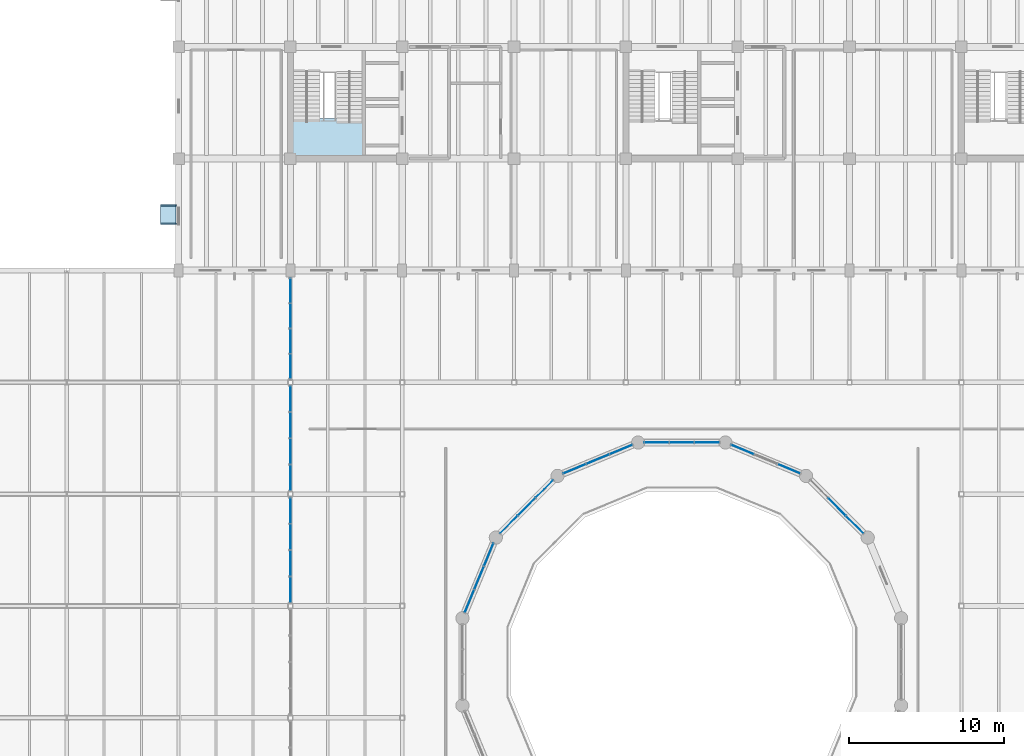
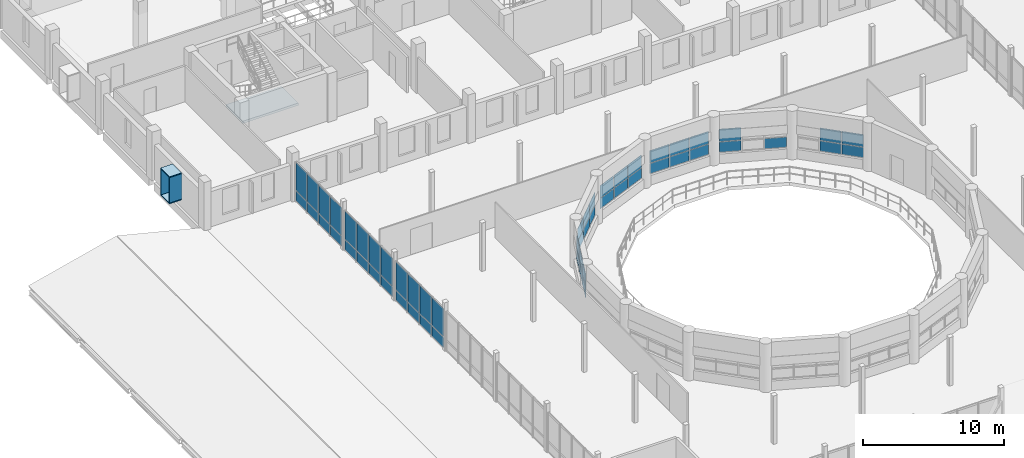
# One storey, part 42 of 63: 59 plates, 1 slab, 10 elements without a shape of their own.
"""IFC4 building model written with IfcOpenShell, lengths in metres."""

from ifc_helpers import new_model, si_unit, direction, frame, frame_2d, origin, origin_2d, place, context, subcontext, project, spatial, polyline, rectangle, outline, extrude, material, layer, layer_set, type_object, element, aggregate, save


model = new_model("IFC4")

# Units and contexts
model_context = context("Model", 3, precision=1e-05, world=origin(), true_north=direction((0.0, 1.0)))
body_context = subcontext(model_context, "Body", "Model", "MODEL_VIEW")
ifc_project = project(units=[si_unit("LENGTHUNIT", "METRE"), si_unit("AREAUNIT", "SQUARE_METRE"), si_unit("VOLUMEUNIT", "CUBIC_METRE"), si_unit("PLANEANGLEUNIT", "RADIAN"), si_unit("MASSUNIT", "GRAM", prefix="KILO")], contexts=[model_context])

# Site, building, storey
site_placement = place(None, origin())
site = spatial("IfcSite", under=ifc_project, at=site_placement, CompositionType="ELEMENT")
building_placement = place(site_placement, origin())
building = spatial("IfcBuilding", under=site, at=building_placement, Name="Qiaolan Assembly House", CompositionType="ELEMENT")
storey_placement = place(building_placement, frame((0.0, 0.0, 14.39990234375)))
storey = spatial("IfcBuildingStorey", under=building, at=storey_placement, Name="L03", CompositionType="ELEMENT", Elevation=14.39990234375)

# Curtain wall, plates
ifc_material_1 = material(Name="Anodised bronze aluminium", Category="aluminium")
curtain_wall_type_1 = type_object("IfcCurtainWallType", Name="CW-DRUM-CLERESTORY", PredefinedType="NOTDEFINED", material=ifc_material_1)
curtain_wall_1_placement = place(storey_placement, origin())
curtain_wall_1 = element("IfcCurtainWall", 1, at=curtain_wall_1_placement, inside=storey, type_object=curtain_wall_type_1, Name="CW-06 Council Chamber Drum Clerestory Curtain Wall 2", PredefinedType="NOTDEFINED")
ifc_material_2 = material(Name="Low-E double insulating glass", Category="glass")
ifc_layer_1 = layer(ifc_material_2, 0.02392578125)
ifc_layer_set_1 = layer_set([ifc_layer_1], Name="Low-E double insulating glass")
plate_type_1 = type_object("IfcPlateType", Name="CW-DRUM-CLERESTORY-PNL", PredefinedType="CURTAIN_PANEL", material=ifc_layer_set_1)
plate_1_placement = place(storey_placement, frame((77.831787109375, 71.74169921875, 0.85107421875), z_axis=(0.0, 0.0, 1.0), x_axis=(0.707106781187, -0.707106781187, 0.0)))
plate_1 = element("IfcPlate", 2, at=plate_1_placement, type_object=plate_type_1, Name="GL-07 glazing panel CW-DRUM-CLER-01-3", PredefinedType="CURTAIN_PANEL", context=body_context, shape_type="SweptSolid", body=[
    extrude(rectangle(XDim=1.569580078125, YDim=0.02392578125, at=frame_2d((0.78466796875, 0.0))), origin(), (0.0, 0.0, 1.0), 0.8779296875),
])
plate_2_placement = place(storey_placement, frame((77.831787109375, 71.74169921875, 1.77099609375), z_axis=(0.0, 0.0, 1.0), x_axis=(0.707106781187, -0.707106781187, 0.0)))
plate_2 = element("IfcPlate", 3, at=plate_2_placement, type_object=plate_type_1, Name="GL-07 glazing panel CW-DRUM-CLER-01-4", PredefinedType="CURTAIN_PANEL", context=body_context, shape_type="SweptSolid", body=[
    extrude(rectangle(XDim=1.569580078125, YDim=0.02392578125, at=frame_2d((0.78466796875, 0.0))), origin(), (0.0, 0.0, 1.0), 1.078125),
])
plate_3_placement = place(storey_placement, frame((78.97705078125, 70.596435546875, 0.85107421875), z_axis=(0.0, 0.0, 1.0), x_axis=(0.707028995941, -0.707184557876, 0.0)))
plate_3 = element("IfcPlate", 4, at=plate_3_placement, type_object=plate_type_1, Name="GL-07 glazing panel CW-DRUM-CLER-01-5", PredefinedType="CURTAIN_PANEL", context=body_context, shape_type="SweptSolid", body=[
    extrude(rectangle(XDim=1.5693359375, YDim=0.02392578125, at=frame_2d((0.78466796875, 0.0))), origin(), (0.0, 0.0, 1.0), 0.8779296875),
])
plate_4_placement = place(storey_placement, frame((78.97705078125, 70.596435546875, 1.77099609375), z_axis=(0.0, 0.0, 1.0), x_axis=(0.707028995941, -0.707184557876, 0.0)))
plate_4 = element("IfcPlate", 5, at=plate_4_placement, type_object=plate_type_1, Name="GL-07 glazing panel CW-DRUM-CLER-01-6", PredefinedType="CURTAIN_PANEL", context=body_context, shape_type="SweptSolid", body=[
    extrude(rectangle(XDim=1.5693359375, YDim=0.02392578125, at=frame_2d((0.78466796875, 0.0))), origin(), (0.0, 0.0, 1.0), 1.078125),
])
aggregate(curtain_wall_1, [plate_1, plate_2, plate_3, plate_4])

curtain_wall_2_placement = place(storey_placement, origin())
curtain_wall_2 = element("IfcCurtainWall", 6, at=curtain_wall_2_placement, inside=storey, type_object=curtain_wall_type_1, Name="CW-06 Council Chamber Drum Clerestory Curtain Wall 3", PredefinedType="NOTDEFINED")
plate_5_placement = place(storey_placement, frame((71.58349609375, 75.168212890625, 0.85107421875), z_axis=(0.0, 0.0, 1.0), x_axis=(0.923880321581, -0.382681527377, 0.0)))
plate_5 = element("IfcPlate", 7, at=plate_5_placement, type_object=plate_type_1, Name="GL-07 glazing panel CW-DRUM-CLER-02-1", PredefinedType="CURTAIN_PANEL", context=body_context, shape_type="SweptSolid", body=[
    extrude(rectangle(XDim=1.5693359375, YDim=0.02392578125, at=frame_2d((0.78466796875, 0.0))), origin(), (0.0, 0.0, 1.0), 0.8779296875),
])
plate_6_placement = place(storey_placement, frame((71.58349609375, 75.168212890625, 1.77099609375), z_axis=(0.0, 0.0, 1.0), x_axis=(0.923880321581, -0.382681527377, 0.0)))
plate_6 = element("IfcPlate", 8, at=plate_6_placement, type_object=plate_type_1, Name="GL-07 glazing panel CW-DRUM-CLER-02-2", PredefinedType="CURTAIN_PANEL", context=body_context, shape_type="SweptSolid", body=[
    extrude(rectangle(XDim=1.5693359375, YDim=0.02392578125, at=frame_2d((0.78466796875, 0.0))), origin(), (0.0, 0.0, 1.0), 1.078125),
])
plate_7_placement = place(storey_placement, frame((74.575927734375, 73.9287109375, 0.85107421875), z_axis=(0.0, 0.0, 1.0), x_axis=(0.923903097912, -0.382626535499, 0.0)))
plate_7 = element("IfcPlate", 9, at=plate_7_placement, type_object=plate_type_1, Name="GL-07 glazing panel CW-DRUM-CLER-02-5", PredefinedType="CURTAIN_PANEL", context=body_context, shape_type="SweptSolid", body=[
    extrude(rectangle(XDim=1.569580078125, YDim=0.02392578125, at=frame_2d((0.78466796875, 0.0))), origin(), (0.0, 0.0, 1.0), 0.8779296875),
])
aggregate(curtain_wall_2, [plate_5, plate_6, plate_7])

curtain_wall_3_placement = place(storey_placement, origin())
curtain_wall_3 = element("IfcCurtainWall", 10, at=curtain_wall_3_placement, inside=storey, type_object=curtain_wall_type_1, Name="CW-06 Council Chamber Drum Clerestory Curtain Wall 4", PredefinedType="NOTDEFINED")
plate_8_placement = place(storey_placement, frame((65.99560546875, 75.3232421875, 0.85107421875), z_axis=(0.0, 0.0, 1.0), x_axis=(1.0, 0.0, 0.0)))
plate_8 = element("IfcPlate", 11, at=plate_8_placement, type_object=plate_type_1, Name="GL-07 glazing panel CW-DRUM-CLER-03-1", PredefinedType="CURTAIN_PANEL", context=body_context, shape_type="SweptSolid", body=[
    extrude(rectangle(XDim=1.569580078125, YDim=0.02392578125, at=frame_2d((0.78466796875, 0.0))), origin(), (0.0, 0.0, 1.0), 0.8779296875),
])
plate_9_placement = place(storey_placement, frame((65.99560546875, 75.3232421875, 1.77099609375), z_axis=(0.0, 0.0, 1.0), x_axis=(1.0, 0.0, 0.0)))
plate_9 = element("IfcPlate", 12, at=plate_9_placement, type_object=plate_type_1, Name="GL-07 glazing panel CW-DRUM-CLER-03-2", PredefinedType="CURTAIN_PANEL", context=body_context, shape_type="SweptSolid", body=[
    extrude(rectangle(XDim=1.569580078125, YDim=0.02392578125, at=frame_2d((0.78466796875, 0.0))), origin(), (0.0, 0.0, 1.0), 1.078125),
])
plate_10_placement = place(storey_placement, frame((67.615234375, 75.3232421875, 0.85107421875), z_axis=(0.0, 0.0, 1.0), x_axis=(1.0, 0.0, 0.0)))
plate_10 = element("IfcPlate", 13, at=plate_10_placement, type_object=plate_type_1, Name="GL-07 glazing panel CW-DRUM-CLER-03-3", PredefinedType="CURTAIN_PANEL", context=body_context, shape_type="SweptSolid", body=[
    extrude(rectangle(XDim=1.569580078125, YDim=0.02392578125, at=frame_2d((0.78466796875, 0.0))), origin(), (0.0, 0.0, 1.0), 0.8779296875),
])
plate_11_placement = place(storey_placement, frame((67.615234375, 75.3232421875, 1.77099609375), z_axis=(0.0, 0.0, 1.0), x_axis=(1.0, 0.0, 0.0)))
plate_11 = element("IfcPlate", 14, at=plate_11_placement, type_object=plate_type_1, Name="GL-07 glazing panel CW-DRUM-CLER-03-4", PredefinedType="CURTAIN_PANEL", context=body_context, shape_type="SweptSolid", body=[
    extrude(rectangle(XDim=1.569580078125, YDim=0.02392578125, at=frame_2d((0.78466796875, 0.0))), origin(), (0.0, 0.0, 1.0), 1.078125),
])
plate_12_placement = place(storey_placement, frame((69.23486328125, 75.3232421875, 0.85107421875), z_axis=(0.0, 0.0, 1.0), x_axis=(1.0, 0.0, 0.0)))
plate_12 = element("IfcPlate", 15, at=plate_12_placement, type_object=plate_type_1, Name="GL-07 glazing panel CW-DRUM-CLER-03-5", PredefinedType="CURTAIN_PANEL", context=body_context, shape_type="SweptSolid", body=[
    extrude(rectangle(XDim=1.5693359375, YDim=0.02392578125, at=frame_2d((0.78466796875, 0.0))), origin(), (0.0, 0.0, 1.0), 0.8779296875),
])
plate_13_placement = place(storey_placement, frame((69.23486328125, 75.3232421875, 1.77099609375), z_axis=(0.0, 0.0, 1.0), x_axis=(1.0, 0.0, 0.0)))
plate_13 = element("IfcPlate", 16, at=plate_13_placement, type_object=plate_type_1, Name="GL-07 glazing panel CW-DRUM-CLER-03-6", PredefinedType="CURTAIN_PANEL", context=body_context, shape_type="SweptSolid", body=[
    extrude(rectangle(XDim=1.5693359375, YDim=0.02392578125, at=frame_2d((0.78466796875, 0.0))), origin(), (0.0, 0.0, 1.0), 1.078125),
])
aggregate(curtain_wall_3, [plate_8, plate_9, plate_10, plate_11, plate_12, plate_13])

curtain_wall_4_placement = place(storey_placement, origin())
curtain_wall_4 = element("IfcCurtainWall", 17, at=curtain_wall_4_placement, inside=storey, type_object=curtain_wall_type_1, Name="CW-06 Council Chamber Drum Clerestory Curtain Wall 5", PredefinedType="NOTDEFINED")
plate_14_placement = place(storey_placement, frame((60.77392578125, 73.328125, 0.85107421875), z_axis=(0.0, 0.0, 1.0), x_axis=(0.923880321581, 0.382681527377, 0.0)))
plate_14 = element("IfcPlate", 18, at=plate_14_placement, type_object=plate_type_1, Name="GL-07 glazing panel CW-DRUM-CLER-04-1", PredefinedType="CURTAIN_PANEL", context=body_context, shape_type="SweptSolid", body=[
    extrude(rectangle(XDim=1.5693359375, YDim=0.02392578125, at=frame_2d((0.78466796875, 0.0))), origin(), (0.0, 0.0, 1.0), 0.8779296875),
])
plate_15_placement = place(storey_placement, frame((60.77392578125, 73.328125, 1.77099609375), z_axis=(0.0, 0.0, 1.0), x_axis=(0.923880321581, 0.382681527377, 0.0)))
plate_15 = element("IfcPlate", 19, at=plate_15_placement, type_object=plate_type_1, Name="GL-07 glazing panel CW-DRUM-CLER-04-2", PredefinedType="CURTAIN_PANEL", context=body_context, shape_type="SweptSolid", body=[
    extrude(rectangle(XDim=1.5693359375, YDim=0.02392578125, at=frame_2d((0.78466796875, 0.0))), origin(), (0.0, 0.0, 1.0), 1.078125),
])
plate_16_placement = place(storey_placement, frame((62.270263671875, 73.947998046875, 0.85107421875), z_axis=(0.0, 0.0, 1.0), x_axis=(0.923880321581, 0.382681527377, 0.0)))
plate_16 = element("IfcPlate", 20, at=plate_16_placement, type_object=plate_type_1, Name="GL-07 glazing panel CW-DRUM-CLER-04-3", PredefinedType="CURTAIN_PANEL", context=body_context, shape_type="SweptSolid", body=[
    extrude(rectangle(XDim=1.5693359375, YDim=0.02392578125, at=frame_2d((0.78466796875, 0.0))), origin(), (0.0, 0.0, 1.0), 0.8779296875),
])
plate_17_placement = place(storey_placement, frame((62.270263671875, 73.947998046875, 1.77099609375), z_axis=(0.0, 0.0, 1.0), x_axis=(0.923880321581, 0.382681527377, 0.0)))
plate_17 = element("IfcPlate", 21, at=plate_17_placement, type_object=plate_type_1, Name="GL-07 glazing panel CW-DRUM-CLER-04-4", PredefinedType="CURTAIN_PANEL", context=body_context, shape_type="SweptSolid", body=[
    extrude(rectangle(XDim=1.5693359375, YDim=0.02392578125, at=frame_2d((0.78466796875, 0.0))), origin(), (0.0, 0.0, 1.0), 1.078125),
])
plate_18_placement = place(storey_placement, frame((63.7666015625, 74.567626953125, 0.85107421875), z_axis=(0.0, 0.0, 1.0), x_axis=(0.923880321581, 0.382681527377, 0.0)))
plate_18 = element("IfcPlate", 22, at=plate_18_placement, type_object=plate_type_1, Name="GL-07 glazing panel CW-DRUM-CLER-04-5", PredefinedType="CURTAIN_PANEL", context=body_context, shape_type="SweptSolid", body=[
    extrude(rectangle(XDim=1.5693359375, YDim=0.02392578125, at=frame_2d((0.78466796875, 0.0))), origin(), (0.0, 0.0, 1.0), 0.8779296875),
])
plate_19_placement = place(storey_placement, frame((63.7666015625, 74.567626953125, 1.77099609375), z_axis=(0.0, 0.0, 1.0), x_axis=(0.923880321581, 0.382681527377, 0.0)))
plate_19 = element("IfcPlate", 23, at=plate_19_placement, type_object=plate_type_1, Name="GL-07 glazing panel CW-DRUM-CLER-04-6", PredefinedType="CURTAIN_PANEL", context=body_context, shape_type="SweptSolid", body=[
    extrude(rectangle(XDim=1.5693359375, YDim=0.02392578125, at=frame_2d((0.78466796875, 0.0))), origin(), (0.0, 0.0, 1.0), 1.078125),
])
aggregate(curtain_wall_4, [plate_14, plate_15, plate_16, plate_17, plate_18, plate_19])

curtain_wall_5_placement = place(storey_placement, origin())
curtain_wall_5 = element("IfcCurtainWall", 24, at=curtain_wall_5_placement, inside=storey, type_object=curtain_wall_type_1, Name="CW-06 Council Chamber Drum Clerestory Curtain Wall 6", PredefinedType="NOTDEFINED")
plate_20_placement = place(storey_placement, frame((56.713134765625, 69.486572265625, 0.85107421875), z_axis=(0.0, 0.0, 1.0), x_axis=(0.707106781187, 0.707106781187, 0.0)))
plate_20 = element("IfcPlate", 25, at=plate_20_placement, type_object=plate_type_1, Name="GL-07 glazing panel CW-DRUM-CLER-05-1", PredefinedType="CURTAIN_PANEL", context=body_context, shape_type="SweptSolid", body=[
    extrude(rectangle(XDim=1.569580078125, YDim=0.02392578125, at=frame_2d((0.78466796875, 0.0))), origin(), (0.0, 0.0, 1.0), 0.8779296875),
])
plate_21_placement = place(storey_placement, frame((56.713134765625, 69.486572265625, 1.77099609375), z_axis=(0.0, 0.0, 1.0), x_axis=(0.707106781187, 0.707106781187, 0.0)))
plate_21 = element("IfcPlate", 26, at=plate_21_placement, type_object=plate_type_1, Name="GL-07 glazing panel CW-DRUM-CLER-05-2", PredefinedType="CURTAIN_PANEL", context=body_context, shape_type="SweptSolid", body=[
    extrude(rectangle(XDim=1.569580078125, YDim=0.02392578125, at=frame_2d((0.78466796875, 0.0))), origin(), (0.0, 0.0, 1.0), 1.078125),
])
plate_22_placement = place(storey_placement, frame((57.8583984375, 70.6318359375, 0.85107421875), z_axis=(0.0, 0.0, 1.0), x_axis=(0.707106781187, 0.707106781187, 0.0)))
plate_22 = element("IfcPlate", 27, at=plate_22_placement, type_object=plate_type_1, Name="GL-07 glazing panel CW-DRUM-CLER-05-3", PredefinedType="CURTAIN_PANEL", context=body_context, shape_type="SweptSolid", body=[
    extrude(rectangle(XDim=1.569580078125, YDim=0.02392578125, at=frame_2d((0.78466796875, 0.0))), origin(), (0.0, 0.0, 1.0), 0.8779296875),
])
plate_23_placement = place(storey_placement, frame((57.8583984375, 70.6318359375, 1.77099609375), z_axis=(0.0, 0.0, 1.0), x_axis=(0.707106781187, 0.707106781187, 0.0)))
plate_23 = element("IfcPlate", 28, at=plate_23_placement, type_object=plate_type_1, Name="GL-07 glazing panel CW-DRUM-CLER-05-4", PredefinedType="CURTAIN_PANEL", context=body_context, shape_type="SweptSolid", body=[
    extrude(rectangle(XDim=1.569580078125, YDim=0.02392578125, at=frame_2d((0.78466796875, 0.0))), origin(), (0.0, 0.0, 1.0), 1.078125),
])
plate_24_placement = place(storey_placement, frame((59.003662109375, 71.777099609375, 0.85107421875), z_axis=(0.0, 0.0, 1.0), x_axis=(0.707184557876, 0.707028995941, 0.0)))
plate_24 = element("IfcPlate", 29, at=plate_24_placement, type_object=plate_type_1, Name="GL-07 glazing panel CW-DRUM-CLER-05-5", PredefinedType="CURTAIN_PANEL", context=body_context, shape_type="SweptSolid", body=[
    extrude(rectangle(XDim=1.5693359375, YDim=0.02392578125, at=frame_2d((0.78466796875, 0.0))), origin(), (0.0, 0.0, 1.0), 0.8779296875),
])
plate_25_placement = place(storey_placement, frame((59.003662109375, 71.777099609375, 1.77099609375), z_axis=(0.0, 0.0, 1.0), x_axis=(0.707184557876, 0.707028995941, 0.0)))
plate_25 = element("IfcPlate", 30, at=plate_25_placement, type_object=plate_type_1, Name="GL-07 glazing panel CW-DRUM-CLER-05-6", PredefinedType="CURTAIN_PANEL", context=body_context, shape_type="SweptSolid", body=[
    extrude(rectangle(XDim=1.5693359375, YDim=0.02392578125, at=frame_2d((0.78466796875, 0.0))), origin(), (0.0, 0.0, 1.0), 1.078125),
])
aggregate(curtain_wall_5, [plate_20, plate_21, plate_22, plate_23, plate_24, plate_25])

curtain_wall_6_placement = place(storey_placement, origin())
curtain_wall_6 = element("IfcCurtainWall", 31, at=curtain_wall_6_placement, inside=storey, type_object=curtain_wall_type_1, Name="CW-06 Council Chamber Drum Clerestory Curtain Wall 7", PredefinedType="NOTDEFINED")
plate_26_placement = place(storey_placement, frame((54.431640625, 64.383544921875, 0.85107421875), z_axis=(0.0, 0.0, 1.0), x_axis=(0.382681527377, 0.923880321581, 0.0)))
plate_26 = element("IfcPlate", 32, at=plate_26_placement, type_object=plate_type_1, Name="GL-07 glazing panel CW-DRUM-CLER-06-1", PredefinedType="CURTAIN_PANEL", context=body_context, shape_type="SweptSolid", body=[
    extrude(rectangle(XDim=1.5693359375, YDim=0.02392578125, at=frame_2d((0.78466796875, 0.0))), origin(), (0.0, 0.0, 1.0), 0.8779296875),
])
plate_27_placement = place(storey_placement, frame((54.431640625, 64.383544921875, 1.77099609375), z_axis=(0.0, 0.0, 1.0), x_axis=(0.382681527377, 0.923880321581, 0.0)))
plate_27 = element("IfcPlate", 33, at=plate_27_placement, type_object=plate_type_1, Name="GL-07 glazing panel CW-DRUM-CLER-06-2", PredefinedType="CURTAIN_PANEL", context=body_context, shape_type="SweptSolid", body=[
    extrude(rectangle(XDim=1.5693359375, YDim=0.02392578125, at=frame_2d((0.78466796875, 0.0))), origin(), (0.0, 0.0, 1.0), 1.078125),
])
plate_28_placement = place(storey_placement, frame((55.051513671875, 65.879638671875, 0.85107421875), z_axis=(0.0, 0.0, 1.0), x_axis=(0.382626535499, 0.923903097912, 0.0)))
plate_28 = element("IfcPlate", 34, at=plate_28_placement, type_object=plate_type_1, Name="GL-07 glazing panel CW-DRUM-CLER-06-3", PredefinedType="CURTAIN_PANEL", context=body_context, shape_type="SweptSolid", body=[
    extrude(rectangle(XDim=1.569580078125, YDim=0.02392578125, at=frame_2d((0.78466796875, 0.0))), origin(), (0.0, 0.0, 1.0), 0.8779296875),
])
plate_29_placement = place(storey_placement, frame((55.051513671875, 65.879638671875, 1.77099609375), z_axis=(0.0, 0.0, 1.0), x_axis=(0.382626535499, 0.923903097912, 0.0)))
plate_29 = element("IfcPlate", 35, at=plate_29_placement, type_object=plate_type_1, Name="GL-07 glazing panel CW-DRUM-CLER-06-4", PredefinedType="CURTAIN_PANEL", context=body_context, shape_type="SweptSolid", body=[
    extrude(rectangle(XDim=1.569580078125, YDim=0.02392578125, at=frame_2d((0.78466796875, 0.0))), origin(), (0.0, 0.0, 1.0), 1.078125),
])
plate_30_placement = place(storey_placement, frame((55.671142578125, 67.3759765625, 0.85107421875), z_axis=(0.0, 0.0, 1.0), x_axis=(0.382814295874, 0.923825316212, 0.0)))
plate_30 = element("IfcPlate", 36, at=plate_30_placement, type_object=plate_type_1, Name="GL-07 glazing panel CW-DRUM-CLER-06-5", PredefinedType="CURTAIN_PANEL", context=body_context, shape_type="SweptSolid", body=[
    extrude(rectangle(XDim=1.569580078125, YDim=0.02392578125, at=frame_2d((0.78466796875, 0.0))), origin(), (0.0, 0.0, 1.0), 0.8779296875),
])
plate_31_placement = place(storey_placement, frame((55.671142578125, 67.3759765625, 1.77099609375), z_axis=(0.0, 0.0, 1.0), x_axis=(0.382814295874, 0.923825316212, 0.0)))
plate_31 = element("IfcPlate", 37, at=plate_31_placement, type_object=plate_type_1, Name="GL-07 glazing panel CW-DRUM-CLER-06-6", PredefinedType="CURTAIN_PANEL", context=body_context, shape_type="SweptSolid", body=[
    extrude(rectangle(XDim=1.569580078125, YDim=0.02392578125, at=frame_2d((0.78466796875, 0.0))), origin(), (0.0, 0.0, 1.0), 1.078125),
])
aggregate(curtain_wall_6, [plate_26, plate_27, plate_28, plate_29, plate_30, plate_31])

curtain_wall_type_2 = type_object("IfcCurtainWallType", Name="CW-HALL-CONC-420", PredefinedType="NOTDEFINED", material=ifc_material_1)
curtain_wall_7_placement = place(storey_placement, origin())
curtain_wall_7 = element("IfcCurtainWall", 38, at=curtain_wall_7_placement, inside=storey, type_object=curtain_wall_type_2, Name="CW-07 L03 Concourse West CW 5", PredefinedType="NOTDEFINED")
ifc_layer_2 = layer(ifc_material_2, 0.031005859375)
ifc_layer_set_2 = layer_set([ifc_layer_2], Name="Low-E double insulating glass")
plate_type_2 = type_object("IfcPlateType", Name="CW-HALL-CONC-420-PNL", PredefinedType="CURTAIN_PANEL", material=ifc_layer_set_2)
plate_32_placement = place(storey_placement, frame((43.199951171875, 65.04296875, 0.05810546875), z_axis=(0.0, 0.0, 1.0), x_axis=(0.0, 1.0, 0.0)))
plate_32 = element("IfcPlate", 39, at=plate_32_placement, type_object=plate_type_2, Name="GL-03 glazing panel CW-HLC-W-04-1", PredefinedType="CURTAIN_PANEL", context=body_context, shape_type="SweptSolid", body=[
    extrude(rectangle(XDim=1.629150390625, YDim=0.031005859375, at=frame_2d((0.814453125, 0.0))), origin(), (0.0, 0.0, 1.0), 0.864013671875),
])
plate_33_placement = place(storey_placement, frame((43.199951171875, 65.04296875, 0.97802734375), z_axis=(0.0, 0.0, 1.0), x_axis=(0.0, 1.0, 0.0)))
plate_33 = element("IfcPlate", 40, at=plate_33_placement, type_object=plate_type_2, Name="GL-03 glazing panel CW-HLC-W-04-2", PredefinedType="CURTAIN_PANEL", context=body_context, shape_type="SweptSolid", body=[
    extrude(rectangle(XDim=1.629150390625, YDim=0.031005859375, at=frame_2d((0.814453125, 0.0))), origin(), (0.0, 0.0, 1.0), 2.4140625),
])
plate_34_placement = place(storey_placement, frame((43.199951171875, 66.738037109375, 0.05810546875), z_axis=(0.0, 0.0, 1.0), x_axis=(0.0, 1.0, 0.0)))
plate_34 = element("IfcPlate", 41, at=plate_34_placement, type_object=plate_type_2, Name="GL-03 glazing panel CW-HLC-W-04-3", PredefinedType="CURTAIN_PANEL", context=body_context, shape_type="SweptSolid", body=[
    extrude(rectangle(XDim=1.62890625, YDim=0.031005859375, at=frame_2d((0.814453125, 0.0))), origin(), (0.0, 0.0, 1.0), 0.864013671875),
])
plate_35_placement = place(storey_placement, frame((43.199951171875, 66.738037109375, 0.97802734375), z_axis=(0.0, 0.0, 1.0), x_axis=(0.0, 1.0, 0.0)))
plate_35 = element("IfcPlate", 42, at=plate_35_placement, type_object=plate_type_2, Name="GL-03 glazing panel CW-HLC-W-04-4", PredefinedType="CURTAIN_PANEL", context=body_context, shape_type="SweptSolid", body=[
    extrude(rectangle(XDim=1.62890625, YDim=0.031005859375, at=frame_2d((0.814453125, 0.0))), origin(), (0.0, 0.0, 1.0), 2.4140625),
])
plate_36_placement = place(storey_placement, frame((43.199951171875, 68.43310546875, 0.05810546875), z_axis=(0.0, 0.0, 1.0), x_axis=(0.0, 1.0, 0.0)))
plate_36 = element("IfcPlate", 43, at=plate_36_placement, type_object=plate_type_2, Name="GL-03 glazing panel CW-HLC-W-04-5", PredefinedType="CURTAIN_PANEL", context=body_context, shape_type="SweptSolid", body=[
    extrude(rectangle(XDim=1.62890625, YDim=0.031005859375, at=frame_2d((0.814453125, 0.0))), origin(), (0.0, 0.0, 1.0), 0.864013671875),
])
plate_37_placement = place(storey_placement, frame((43.199951171875, 68.43310546875, 0.97802734375), z_axis=(0.0, 0.0, 1.0), x_axis=(0.0, 1.0, 0.0)))
plate_37 = element("IfcPlate", 44, at=plate_37_placement, type_object=plate_type_2, Name="GL-03 glazing panel CW-HLC-W-04-6", PredefinedType="CURTAIN_PANEL", context=body_context, shape_type="SweptSolid", body=[
    extrude(rectangle(XDim=1.62890625, YDim=0.031005859375, at=frame_2d((0.814453125, 0.0))), origin(), (0.0, 0.0, 1.0), 2.4140625),
])
plate_38_placement = place(storey_placement, frame((43.199951171875, 70.1279296875, 0.05810546875), z_axis=(0.0, 0.0, 1.0), x_axis=(0.0, 1.0, 0.0)))
plate_38 = element("IfcPlate", 45, at=plate_38_placement, type_object=plate_type_2, Name="GL-03 glazing panel CW-HLC-W-04-7", PredefinedType="CURTAIN_PANEL", context=body_context, shape_type="SweptSolid", body=[
    extrude(rectangle(XDim=1.629150390625, YDim=0.031005859375, at=frame_2d((0.814453125, 0.0))), origin(), (0.0, 0.0, 1.0), 0.864013671875),
])
plate_39_placement = place(storey_placement, frame((43.199951171875, 70.1279296875, 0.97802734375), z_axis=(0.0, 0.0, 1.0), x_axis=(0.0, 1.0, 0.0)))
plate_39 = element("IfcPlate", 46, at=plate_39_placement, type_object=plate_type_2, Name="GL-03 glazing panel CW-HLC-W-04-8", PredefinedType="CURTAIN_PANEL", context=body_context, shape_type="SweptSolid", body=[
    extrude(rectangle(XDim=1.629150390625, YDim=0.031005859375, at=frame_2d((0.814453125, 0.0))), origin(), (0.0, 0.0, 1.0), 2.4140625),
])
aggregate(curtain_wall_7, [plate_32, plate_33, plate_34, plate_35, plate_36, plate_37, plate_38, plate_39])

curtain_wall_8_placement = place(storey_placement, origin())
curtain_wall_8 = element("IfcCurtainWall", 47, at=curtain_wall_8_placement, inside=storey, type_object=curtain_wall_type_2, Name="CW-07 L03 Concourse West CW 6", PredefinedType="NOTDEFINED")
plate_40_placement = place(storey_placement, frame((43.199951171875, 72.242919921875, 0.05810546875), z_axis=(0.0, 0.0, 1.0), x_axis=(0.0, 1.0, 0.0)))
plate_40 = element("IfcPlate", 48, at=plate_40_placement, type_object=plate_type_2, Name="GL-03 glazing panel CW-HLC-W-05-1", PredefinedType="CURTAIN_PANEL", context=body_context, shape_type="SweptSolid", body=[
    extrude(rectangle(XDim=1.629150390625, YDim=0.031005859375, at=frame_2d((0.814453125, 0.0))), origin(), (0.0, 0.0, 1.0), 0.864013671875),
])
plate_41_placement = place(storey_placement, frame((43.199951171875, 72.242919921875, 0.97802734375), z_axis=(0.0, 0.0, 1.0), x_axis=(0.0, 1.0, 0.0)))
plate_41 = element("IfcPlate", 49, at=plate_41_placement, type_object=plate_type_2, Name="GL-03 glazing panel CW-HLC-W-05-2", PredefinedType="CURTAIN_PANEL", context=body_context, shape_type="SweptSolid", body=[
    extrude(rectangle(XDim=1.629150390625, YDim=0.031005859375, at=frame_2d((0.814453125, 0.0))), origin(), (0.0, 0.0, 1.0), 2.4140625),
])
plate_42_placement = place(storey_placement, frame((43.199951171875, 73.93798828125, 0.05810546875), z_axis=(0.0, 0.0, 1.0), x_axis=(0.0, 1.0, 0.0)))
plate_42 = element("IfcPlate", 50, at=plate_42_placement, type_object=plate_type_2, Name="GL-03 glazing panel CW-HLC-W-05-3", PredefinedType="CURTAIN_PANEL", context=body_context, shape_type="SweptSolid", body=[
    extrude(rectangle(XDim=1.62890625, YDim=0.031005859375, at=frame_2d((0.814453125, 0.0))), origin(), (0.0, 0.0, 1.0), 0.864013671875),
])
plate_43_placement = place(storey_placement, frame((43.199951171875, 73.93798828125, 0.97802734375), z_axis=(0.0, 0.0, 1.0), x_axis=(0.0, 1.0, 0.0)))
plate_43 = element("IfcPlate", 51, at=plate_43_placement, type_object=plate_type_2, Name="GL-03 glazing panel CW-HLC-W-05-4", PredefinedType="CURTAIN_PANEL", context=body_context, shape_type="SweptSolid", body=[
    extrude(rectangle(XDim=1.62890625, YDim=0.031005859375, at=frame_2d((0.814453125, 0.0))), origin(), (0.0, 0.0, 1.0), 2.4140625),
])
plate_44_placement = place(storey_placement, frame((43.199951171875, 75.633056640625, 0.05810546875), z_axis=(0.0, 0.0, 1.0), x_axis=(0.0, 1.0, 0.0)))
plate_44 = element("IfcPlate", 52, at=plate_44_placement, type_object=plate_type_2, Name="GL-03 glazing panel CW-HLC-W-05-5", PredefinedType="CURTAIN_PANEL", context=body_context, shape_type="SweptSolid", body=[
    extrude(rectangle(XDim=1.62890625, YDim=0.031005859375, at=frame_2d((0.814453125, 0.0))), origin(), (0.0, 0.0, 1.0), 0.864013671875),
])
plate_45_placement = place(storey_placement, frame((43.199951171875, 75.633056640625, 0.97802734375), z_axis=(0.0, 0.0, 1.0), x_axis=(0.0, 1.0, 0.0)))
plate_45 = element("IfcPlate", 53, at=plate_45_placement, type_object=plate_type_2, Name="GL-03 glazing panel CW-HLC-W-05-6", PredefinedType="CURTAIN_PANEL", context=body_context, shape_type="SweptSolid", body=[
    extrude(rectangle(XDim=1.62890625, YDim=0.031005859375, at=frame_2d((0.814453125, 0.0))), origin(), (0.0, 0.0, 1.0), 2.4140625),
])
plate_46_placement = place(storey_placement, frame((43.199951171875, 77.327880859375, 0.05810546875), z_axis=(0.0, 0.0, 1.0), x_axis=(0.0, 1.0, 0.0)))
plate_46 = element("IfcPlate", 54, at=plate_46_placement, type_object=plate_type_2, Name="GL-03 glazing panel CW-HLC-W-05-7", PredefinedType="CURTAIN_PANEL", context=body_context, shape_type="SweptSolid", body=[
    extrude(rectangle(XDim=1.629150390625, YDim=0.031005859375, at=frame_2d((0.814453125, 0.0))), origin(), (0.0, 0.0, 1.0), 0.864013671875),
])
plate_47_placement = place(storey_placement, frame((43.199951171875, 77.327880859375, 0.97802734375), z_axis=(0.0, 0.0, 1.0), x_axis=(0.0, 1.0, 0.0)))
plate_47 = element("IfcPlate", 55, at=plate_47_placement, type_object=plate_type_2, Name="GL-03 glazing panel CW-HLC-W-05-8", PredefinedType="CURTAIN_PANEL", context=body_context, shape_type="SweptSolid", body=[
    extrude(rectangle(XDim=1.629150390625, YDim=0.031005859375, at=frame_2d((0.814453125, 0.0))), origin(), (0.0, 0.0, 1.0), 2.4140625),
])
aggregate(curtain_wall_8, [plate_40, plate_41, plate_42, plate_43, plate_44, plate_45, plate_46, plate_47])

curtain_wall_9_placement = place(storey_placement, origin())
curtain_wall_9 = element("IfcCurtainWall", 56, at=curtain_wall_9_placement, inside=storey, type_object=curtain_wall_type_2, Name="CW-07 L03 Concourse West CW 7", PredefinedType="NOTDEFINED")
plate_48_placement = place(storey_placement, frame((43.199951171875, 79.443115234375, 0.05810546875), z_axis=(0.0, 0.0, 1.0), x_axis=(0.0, 1.0, 0.0)))
plate_48 = element("IfcPlate", 57, at=plate_48_placement, type_object=plate_type_2, Name="GL-03 glazing panel CW-HLC-W-06-1", PredefinedType="CURTAIN_PANEL", context=body_context, shape_type="SweptSolid", body=[
    extrude(rectangle(XDim=1.561279296875, YDim=0.031005859375, at=frame_2d((0.78076171875, 0.0))), origin(), (0.0, 0.0, 1.0), 0.864013671875),
])
plate_49_placement = place(storey_placement, frame((43.199951171875, 79.443115234375, 0.97802734375), z_axis=(0.0, 0.0, 1.0), x_axis=(0.0, 1.0, 0.0)))
plate_49 = element("IfcPlate", 58, at=plate_49_placement, type_object=plate_type_2, Name="GL-03 glazing panel CW-HLC-W-06-2", PredefinedType="CURTAIN_PANEL", context=body_context, shape_type="SweptSolid", body=[
    extrude(rectangle(XDim=1.561279296875, YDim=0.031005859375, at=frame_2d((0.78076171875, 0.0))), origin(), (0.0, 0.0, 1.0), 2.4140625),
])
plate_50_placement = place(storey_placement, frame((43.199951171875, 81.070556640625, 0.05810546875), z_axis=(0.0, 0.0, 1.0), x_axis=(0.0, 1.0, 0.0)))
plate_50 = element("IfcPlate", 59, at=plate_50_placement, type_object=plate_type_2, Name="GL-03 glazing panel CW-HLC-W-06-3", PredefinedType="CURTAIN_PANEL", context=body_context, shape_type="SweptSolid", body=[
    extrude(rectangle(XDim=1.5615234375, YDim=0.031005859375, at=frame_2d((0.78076171875, 0.0))), origin(), (0.0, 0.0, 1.0), 0.864013671875),
])
plate_51_placement = place(storey_placement, frame((43.199951171875, 81.070556640625, 0.97802734375), z_axis=(0.0, 0.0, 1.0), x_axis=(0.0, 1.0, 0.0)))
plate_51 = element("IfcPlate", 60, at=plate_51_placement, type_object=plate_type_2, Name="GL-03 glazing panel CW-HLC-W-06-4", PredefinedType="CURTAIN_PANEL", context=body_context, shape_type="SweptSolid", body=[
    extrude(rectangle(XDim=1.5615234375, YDim=0.031005859375, at=frame_2d((0.78076171875, 0.0))), origin(), (0.0, 0.0, 1.0), 2.4140625),
])
plate_52_placement = place(storey_placement, frame((43.199951171875, 82.697998046875, 0.05810546875), z_axis=(0.0, 0.0, 1.0), x_axis=(0.0, 1.0, 0.0)))
plate_52 = element("IfcPlate", 61, at=plate_52_placement, type_object=plate_type_2, Name="GL-03 glazing panel CW-HLC-W-06-5", PredefinedType="CURTAIN_PANEL", context=body_context, shape_type="SweptSolid", body=[
    extrude(rectangle(XDim=1.5615234375, YDim=0.031005859375, at=frame_2d((0.78076171875, 0.0))), origin(), (0.0, 0.0, 1.0), 0.864013671875),
])
plate_53_placement = place(storey_placement, frame((43.199951171875, 82.697998046875, 0.97802734375), z_axis=(0.0, 0.0, 1.0), x_axis=(0.0, 1.0, 0.0)))
plate_53 = element("IfcPlate", 62, at=plate_53_placement, type_object=plate_type_2, Name="GL-03 glazing panel CW-HLC-W-06-6", PredefinedType="CURTAIN_PANEL", context=body_context, shape_type="SweptSolid", body=[
    extrude(rectangle(XDim=1.5615234375, YDim=0.031005859375, at=frame_2d((0.78076171875, 0.0))), origin(), (0.0, 0.0, 1.0), 2.4140625),
])
plate_54_placement = place(storey_placement, frame((43.199951171875, 84.325439453125, 0.05810546875), z_axis=(0.0, 0.0, 1.0), x_axis=(0.0, 1.0, 0.0)))
plate_54 = element("IfcPlate", 63, at=plate_54_placement, type_object=plate_type_2, Name="GL-03 glazing panel CW-HLC-W-06-7", PredefinedType="CURTAIN_PANEL", context=body_context, shape_type="SweptSolid", body=[
    extrude(rectangle(XDim=1.5615234375, YDim=0.031005859375, at=frame_2d((0.78076171875, 0.0))), origin(), (0.0, 0.0, 1.0), 0.864013671875),
])
plate_55_placement = place(storey_placement, frame((43.199951171875, 84.325439453125, 0.97802734375), z_axis=(0.0, 0.0, 1.0), x_axis=(0.0, 1.0, 0.0)))
plate_55 = element("IfcPlate", 64, at=plate_55_placement, type_object=plate_type_2, Name="GL-03 glazing panel CW-HLC-W-06-8", PredefinedType="CURTAIN_PANEL", context=body_context, shape_type="SweptSolid", body=[
    extrude(rectangle(XDim=1.5615234375, YDim=0.031005859375, at=frame_2d((0.78076171875, 0.0))), origin(), (0.0, 0.0, 1.0), 2.4140625),
])
aggregate(curtain_wall_9, [plate_48, plate_49, plate_50, plate_51, plate_52, plate_53, plate_54, plate_55])

# Plates
ifc_material_3 = material(Name="Honed pale limestone", Category="masonry")
ifc_layer_3 = layer(ifc_material_3, 0.0849609375)
ifc_layer_set_3 = layer_set([ifc_layer_3], Name="Honed pale limestone")
plate_type_3 = type_object("IfcPlateType", Name="PLT-WINBOX-CHEEK", PredefinedType="SHEET", material=ifc_layer_set_3)
for number, where, z_axis, x_axis, name in (
    (65, (35.340087890625, 89.407470703125, 0.7001953125), (0.0, 0.0, 1.0), (1.0, 0.0, 0.0), "WB-02 projecting window-box left cheek NWW-L03-00"),
    (66, (35.340087890625, 90.592529296875, 0.7001953125), (0.0, 0.0, 1.0), (1.0, 0.0, 0.0), "WB-02 projecting window-box right cheek NWW-L03-00"),
):
    element("IfcPlate", number, at=place(storey_placement, frame(where, z_axis=z_axis, x_axis=x_axis)), inside=storey, type_object=plate_type_3, Name=name, PredefinedType="SHEET", context=body_context, shape_type="SweptSolid", body=[
        extrude(rectangle(XDim=1.0, YDim=0.0849609375, at=origin_2d()), origin(), (0.0, 0.0, 1.0), 2.18994140625),
    ])
ifc_layer_4 = layer(ifc_material_3, 0.080078125)
ifc_layer_set_4 = layer_set([ifc_layer_4], Name="Honed pale limestone")
plate_type_4 = type_object("IfcPlateType", Name="PLT-WINBOX-SURROUND", PredefinedType="SHEET", material=ifc_layer_set_4)
for number, where, name in (
    (67, (0.0, 0.0, 0.6201171875), "WB-01 projecting limestone window-box sill NWW-L03-00"),
    (68, (0.0, 0.0, 2.89013671875), "WB-01 projecting limestone window-box hood NWW-L03-00"),
):
    element("IfcPlate", number, at=place(storey_placement, frame(where)), inside=storey, type_object=plate_type_4, Name=name, PredefinedType="SHEET", context=body_context, shape_type="SweptSolid", body=[
        extrude(outline(polyline([(34.840087890625, 89.364990234375), (34.840087890625, 90.635009765625), (35.840087890625, 90.635009765625), (35.840087890625, 89.364990234375), (34.840087890625, 89.364990234375)])), origin(), (0.0, 0.0, 1.0), 0.080078125),
    ])

# Stair, slab
ifc_material_4 = material(Name="Concrete C40/50", Category="concrete")
stair_type = type_object("IfcStairType", Name="STR-STD-420", PredefinedType="HALF_TURN_STAIR", material=ifc_material_4)
stair_placement = place(storey_placement, origin())
stair = element("IfcStair", 69, at=stair_placement, inside=storey, type_object=stair_type, Name="ST-05 enclosed egress stair CORE-A L03", PredefinedType="HALF_TURN_STAIR")
ifc_layer_5 = layer(ifc_material_4, 0.199951171875)
ifc_layer_set_5 = layer_set([ifc_layer_5], Name="Concrete C40/50")
slab_type = type_object("IfcSlabType", Name="SLB-LANDING-200", PredefinedType="LANDING", material=ifc_layer_set_5)
slab_placement = place(storey_placement, frame((0.0, 0.0, 1.900146484375)))
slab = element("IfcSlab", 70, at=slab_placement, type_object=slab_type, Name="Stair landing LND-CORE-A-L03-HL", PredefinedType="LANDING", context=body_context, shape_type="SweptSolid", body=[
    extrude(outline(polyline([(43.3798828125, 93.780029296875), (43.3798828125, 96.169921875), (47.919921875, 96.169921875), (47.919921875, 93.780029296875), (43.3798828125, 93.780029296875)])), origin(), (0.0, 0.0, 1.0), 0.199951171875),
])
aggregate(stair, [slab])

save(model, "model.ifc")
